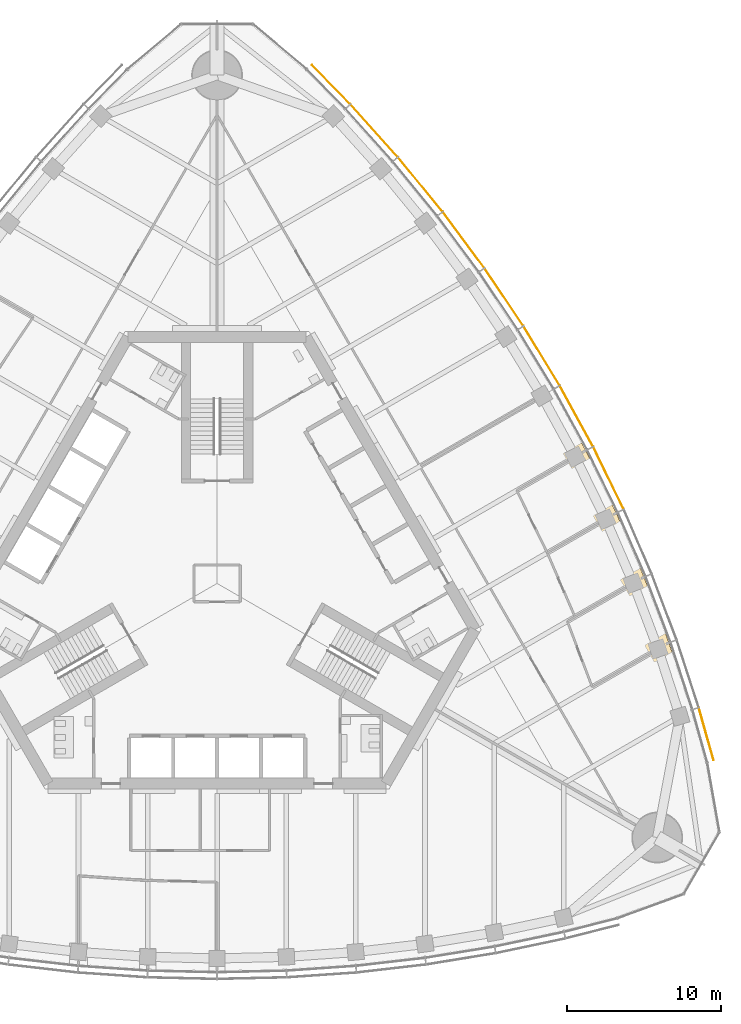
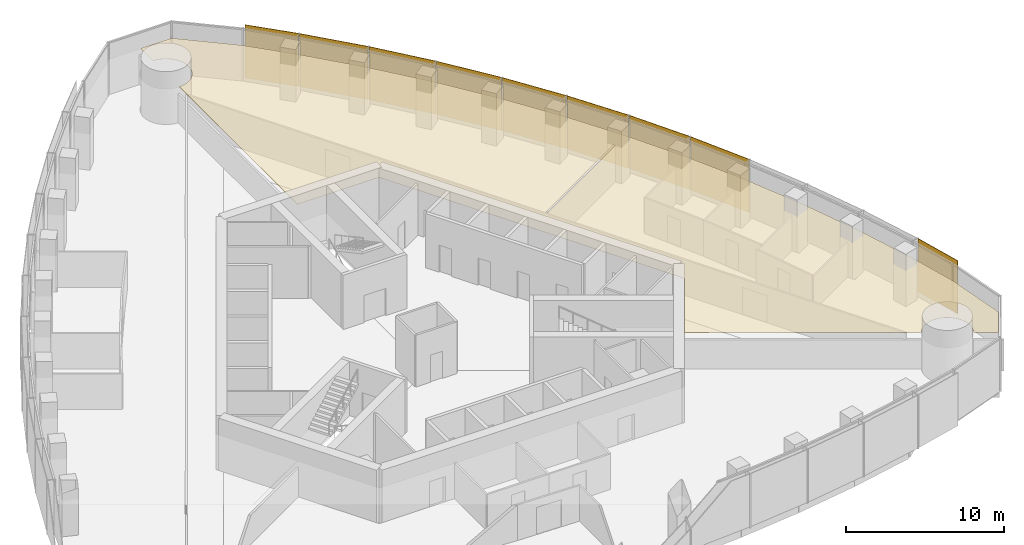
# One storey, part 17 of 19: 9 shading devices, 1 covering.
"""IFC4 building model written with IfcOpenShell, lengths in metres."""

from ifc_helpers import new_model, si_unit, direction, frame, origin, origin_2d, place, context, subcontext, project, spatial, polyline, rectangle, outline, extrude, material, layer, layer_set, type_object, element, save


model = new_model("IFC4")

# Units and contexts
model_context = context("Model", 3, precision=1e-05, world=origin(), true_north=direction((0.0, 1.0)))
body_context = subcontext(model_context, "Body", "Model", "MODEL_VIEW")
ifc_project = project(units=[si_unit("LENGTHUNIT", "METRE"), si_unit("AREAUNIT", "SQUARE_METRE"), si_unit("VOLUMEUNIT", "CUBIC_METRE"), si_unit("PLANEANGLEUNIT", "RADIAN"), si_unit("MASSUNIT", "GRAM", prefix="KILO")], contexts=[model_context])

# Site, building, storey
site_placement = place(None, origin())
site = spatial("IfcSite", under=ifc_project, at=site_placement, CompositionType="ELEMENT")
building_placement = place(site_placement, origin())
building = spatial("IfcBuilding", under=site, at=building_placement, Name="Trefoil Bronze Tower", CompositionType="ELEMENT")
storey_placement = place(building_placement, frame((0.0, 0.0, 240.10009765625)))
storey = spatial("IfcBuildingStorey", under=building, at=storey_placement, Name="L55", CompositionType="ELEMENT", Elevation=240.10009765625)

# Shading devices
ifc_material_1 = material(Name="Perforated bronze sheet", Category="bronze")
ifc_layer_1 = layer(ifc_material_1, 0.0400390625)
ifc_layer_set_1 = layer_set([ifc_layer_1], Name="Bronze solar screen panel")
shading_device_type = type_object("IfcShadingDeviceType", Name="Bronze solar screen panel", PredefinedType="SHUTTER", material=ifc_layer_set_1)
shading_device_1_placement = place(storey_placement, frame((31.764892578125, -9.7890625, 0.0498046875), z_axis=(0.0, 0.0, 1.0), x_axis=(-0.270282222968, 0.962781138134, 0.0)))
element("IfcShadingDevice", 1, at=shading_device_1_placement, inside=storey, type_object=shading_device_type, Name="Solar screen CW-A L55 F2 bay 1", PredefinedType="SHUTTER", context=body_context, shape_type="SweptSolid", body=[
    extrude(rectangle(XDim=3.53369140625, YDim=0.0400390625, at=origin_2d()), origin(), (0.0, 0.0, 1.0), 4.10009765625),
])
shading_device_2_placement = place(storey_placement, frame((25.4169921875, 6.83740234375, 0.0498046875), z_axis=(0.0, 0.0, 1.0), x_axis=(-0.439129033334, 0.898424004623, 0.0)))
element("IfcShadingDevice", 2, at=shading_device_2_placement, inside=storey, type_object=shading_device_type, Name="Solar screen CW-A L55 F2 bay 5", PredefinedType="SHUTTER", context=body_context, shape_type="SweptSolid", body=[
    extrude(rectangle(XDim=4.480712890625, YDim=0.0400390625, at=origin_2d()), origin(), (0.0, 0.0, 1.0), 4.10009765625),
])
for number, where, z_axis, x_axis, name in (
    (3, (23.3349609375, 10.860107421875, 0.0498046875), (0.0, 0.0, 1.0), (-0.479974003504, 0.877282711536, 0.0), "Solar screen CW-A L55 F2 bay 6"),
    (4, (21.07275390625, 14.77880859375, 0.0498046875), (0.0, 0.0, 1.0), (-0.519762112739, 0.854311035959, 0.0), "Solar screen CW-A L55 F2 bay 7"),
):
    element("IfcShadingDevice", number, at=place(storey_placement, frame(where, z_axis=z_axis, x_axis=x_axis)), inside=storey, type_object=shading_device_type, Name=name, PredefinedType="SHUTTER", context=body_context, shape_type="SweptSolid", body=[
        extrude(rectangle(XDim=4.47119140625, YDim=0.0400390625, at=origin_2d()), origin(), (0.0, 0.0, 1.0), 4.10009765625),
    ])
shading_device_3_placement = place(storey_placement, frame((18.6298828125, 18.59326171875, 0.0498046875), z_axis=(0.0, 0.0, 1.0), x_axis=(-0.558493494706, 0.829508900718, 0.0)))
element("IfcShadingDevice", 5, at=shading_device_3_placement, inside=storey, type_object=shading_device_type, Name="Solar screen CW-A L55 F2 bay 8", PredefinedType="SHUTTER", context=body_context, shape_type="SweptSolid", body=[
    extrude(rectangle(XDim=4.480712890625, YDim=0.0400390625, at=origin_2d()), origin(), (0.0, 0.0, 1.0), 4.10009765625),
])
shading_device_4_placement = place(storey_placement, frame((16.005615234375, 22.302734375, 0.0498046875), z_axis=(0.0, 0.0, 1.0), x_axis=(-0.596161525977, 0.802864518425, 0.0)))
element("IfcShadingDevice", 6, at=shading_device_4_placement, inside=storey, type_object=shading_device_type, Name="Solar screen CW-A L55 F2 bay 9", PredefinedType="SHUTTER", context=body_context, shape_type="SweptSolid", body=[
    extrude(rectangle(XDim=4.5, YDim=0.0400390625, at=origin_2d()), origin(), (0.0, 0.0, 1.0), 4.10009765625),
])
shading_device_5_placement = place(storey_placement, frame((13.197509765625, 25.90625, 0.0498046875), z_axis=(0.0, 0.0, 1.0), x_axis=(-0.63275261301, 0.774354008661, 0.0)))
element("IfcShadingDevice", 7, at=shading_device_5_placement, inside=storey, type_object=shading_device_type, Name="Solar screen CW-A L55 F2 bay 10", PredefinedType="SHUTTER", context=body_context, shape_type="SweptSolid", body=[
    extrude(rectangle(XDim=4.529296875, YDim=0.0400390625, at=origin_2d()), origin(), (0.0, 0.0, 1.0), 4.10009765625),
])
shading_device_6_placement = place(storey_placement, frame((10.20166015625, 29.401611328125, 0.0498046875), z_axis=(0.0, 0.0, 1.0), x_axis=(-0.668245744076, 0.743940606181, 0.0)))
element("IfcShadingDevice", 8, at=shading_device_6_placement, inside=storey, type_object=shading_device_type, Name="Solar screen CW-A L55 F2 bay 11", PredefinedType="SHUTTER", context=body_context, shape_type="SweptSolid", body=[
    extrude(rectangle(XDim=4.5693359375, YDim=0.0400390625, at=origin_2d()), origin(), (0.0, 0.0, 1.0), 4.10009765625),
])
shading_device_7_placement = place(storey_placement, frame((7.40478515625, 32.40380859375, 0.0498046875), z_axis=(0.0, 0.0, 1.0), x_axis=(-0.698651812425, 0.715461840349, 0.0)))
element("IfcShadingDevice", 9, at=shading_device_7_placement, inside=storey, type_object=shading_device_type, Name="Solar screen CW-A L55 F2 bay 12", PredefinedType="SHUTTER", context=body_context, shape_type="SweptSolid", body=[
    extrude(rectangle(XDim=3.53369140625, YDim=0.0400390625, at=origin_2d()), origin(), (0.0, 0.0, 1.0), 4.10009765625),
])

# Covering
ifc_material_2 = material(Name="Acoustic ceiling panels", Category="mineral fibre")
ifc_layer_2 = layer(ifc_material_2, 0.02001953125)
ifc_layer_set_2 = layer_set([ifc_layer_2], Name="Office ceiling 20")
covering_type = type_object("IfcCoveringType", Name="Office ceiling 20", PredefinedType="CEILING", material=ifc_layer_set_2)
covering_placement = place(storey_placement, frame((0.0, 0.0, 2.89990234375)))
element("IfcCovering", 10, at=covering_placement, inside=storey, type_object=covering_type, Name="Ceiling L55 Studio F2", PredefinedType="CEILING", context=body_context, shape_type="SweptSolid", body=[
    extrude(outline(polyline([(8.26318359375, 30.751708984375), (11.3369140625, 27.329833984375), (14.2216796875, 23.79931640625), (16.92236328125, 20.162353515625), (19.44140625, 16.420654296875), (21.781005859375, 12.5751953125), (23.94140625, 8.62646484375), (25.92236328125, 4.573974609375), (27.7216796875, 0.416748046875), (29.3369140625, -3.846923828125), (30.76318359375, -8.219482421875), (31.7265625, -11.650634765625), (32.518310546875, -16.1416015625), (31.385009765625, -18.1044921875), (30.013916015625, -17.3134765625), (30.033935546875, -17.27783203125), (30.0703125, -17.20556640625), (30.103271484375, -17.13134765625), (30.13232421875, -17.055908203125), (30.15771484375, -16.97900390625), (30.179443359375, -16.90087890625), (30.197021484375, -16.822021484375), (30.2109375, -16.7421875), (30.220947265625, -16.66162109375), (30.226806640625, -16.5810546875), (30.228759765625, -16.5), (30.226806640625, -16.4189453125), (30.220947265625, -16.33837890625), (30.2109375, -16.2578125), (30.197021484375, -16.177978515625), (30.179443359375, -16.09912109375), (30.15771484375, -16.02099609375), (30.13232421875, -15.944091796875), (30.103271484375, -15.86865234375), (30.0703125, -15.79443359375), (30.033935546875, -15.72216796875), (29.994140625, -15.651611328125), (29.95068359375, -15.583251953125), (29.904052734375, -15.51708984375), (29.854248046875, -15.453369140625), (29.801513671875, -15.391845703125), (29.74560546875, -15.333251953125), (29.68701171875, -15.27734375), (29.62548828125, -15.224609375), (29.561767578125, -15.1748046875), (29.49560546875, -15.128173828125), (29.427001953125, -15.084716796875), (29.356689453125, -15.044921875), (29.2841796875, -15.00830078125), (29.210205078125, -14.9755859375), (29.134765625, -14.946533203125), (29.057861328125, -14.9208984375), (28.979736328125, -14.8994140625), (28.900634765625, -14.881591796875), (28.82080078125, -14.867919921875), (28.740478515625, -14.85791015625), (28.659912109375, -14.85205078125), (28.578857421875, -14.85009765625), (28.497802734375, -14.85205078125), (28.4169921875, -14.85791015625), (28.336669921875, -14.867919921875), (28.2568359375, -14.881591796875), (28.177978515625, -14.8994140625), (28.099853515625, -14.9208984375), (28.02294921875, -14.946533203125), (27.947509765625, -14.9755859375), (27.873291015625, -15.00830078125), (27.801025390625, -15.044921875), (27.730712890625, -15.084716796875), (27.662109375, -15.128173828125), (27.595947265625, -15.1748046875), (27.531982421875, -15.224609375), (27.470703125, -15.27734375), (27.412109375, -15.333251953125), (27.356201171875, -15.391845703125), (27.303466796875, -15.453369140625), (27.25341796875, -15.51708984375), (27.206787109375, -15.583251953125), (27.156005859375, -15.6650390625), (14.16259765625, -8.169677734375), (17.147216796875, -3.0), (5.9755859375, 16.35009765625), (0.006103515625, 16.35009765625), (0.01171875, 31.350341796875), (0.0810546875, 31.35205078125), (0.16162109375, 31.35791015625), (0.2421875, 31.367919921875), (0.322021484375, 31.381591796875), (0.40087890625, 31.3994140625), (0.47900390625, 31.4208984375), (0.555908203125, 31.446533203125), (0.63134765625, 31.4755859375), (0.70556640625, 31.50830078125), (0.77783203125, 31.544921875), (0.848388671875, 31.584716796875), (0.916748046875, 31.628173828125), (0.98291015625, 31.6748046875), (1.046630859375, 31.724609375), (1.108154296875, 31.77734375), (1.166748046875, 31.833251953125), (1.22265625, 31.891845703125), (1.275390625, 31.953369140625), (1.3251953125, 32.01708984375), (1.371826171875, 32.083251953125), (1.415283203125, 32.151611328125), (1.455078125, 32.22216796875), (1.49169921875, 32.29443359375), (1.5244140625, 32.36865234375), (1.553466796875, 32.444091796875), (1.5791015625, 32.52099609375), (1.6005859375, 32.59912109375), (1.618408203125, 32.677978515625), (1.632080078125, 32.7578125), (1.64208984375, 32.83837890625), (1.64794921875, 32.9189453125), (1.64990234375, 33.0), (1.64794921875, 33.0810546875), (1.64208984375, 33.16162109375), (1.632080078125, 33.2421875), (1.618408203125, 33.322021484375), (1.6005859375, 33.40087890625), (1.5791015625, 33.47900390625), (1.553466796875, 33.555908203125), (1.5244140625, 33.63134765625), (1.49169921875, 33.70556640625), (1.455078125, 33.77783203125), (1.415283203125, 33.848388671875), (1.371826171875, 33.916748046875), (1.3251953125, 33.98291015625), (1.275390625, 34.046630859375), (1.22265625, 34.108154296875), (1.166748046875, 34.166748046875), (1.108154296875, 34.22265625), (1.046630859375, 34.275390625), (0.98291015625, 34.3251953125), (0.916748046875, 34.371826171875), (0.848388671875, 34.415283203125), (0.77783203125, 34.455078125), (0.70556640625, 34.49169921875), (0.63134765625, 34.5244140625), (0.555908203125, 34.553466796875), (0.47900390625, 34.5791015625), (0.40087890625, 34.6005859375), (0.322021484375, 34.618408203125), (0.2421875, 34.632080078125), (0.16162109375, 34.64208984375), (0.0810546875, 34.64794921875), (0.012939453125, 34.649658203125), (0.013671875, 36.232666015625), (2.280029296875, 36.232666015625), (5.7734375, 33.30126953125), (8.26318359375, 30.751708984375)])), origin(), (0.0, 0.0, 1.0), 0.02001953125),
])

save(model, "model.ifc")
